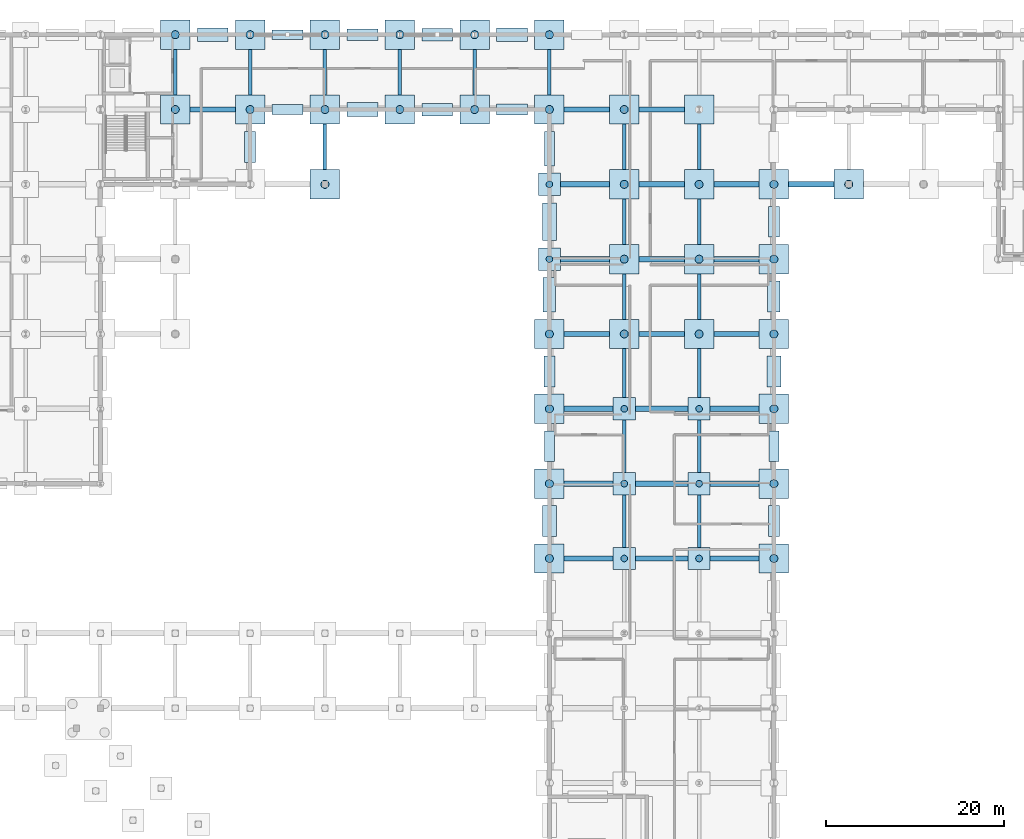
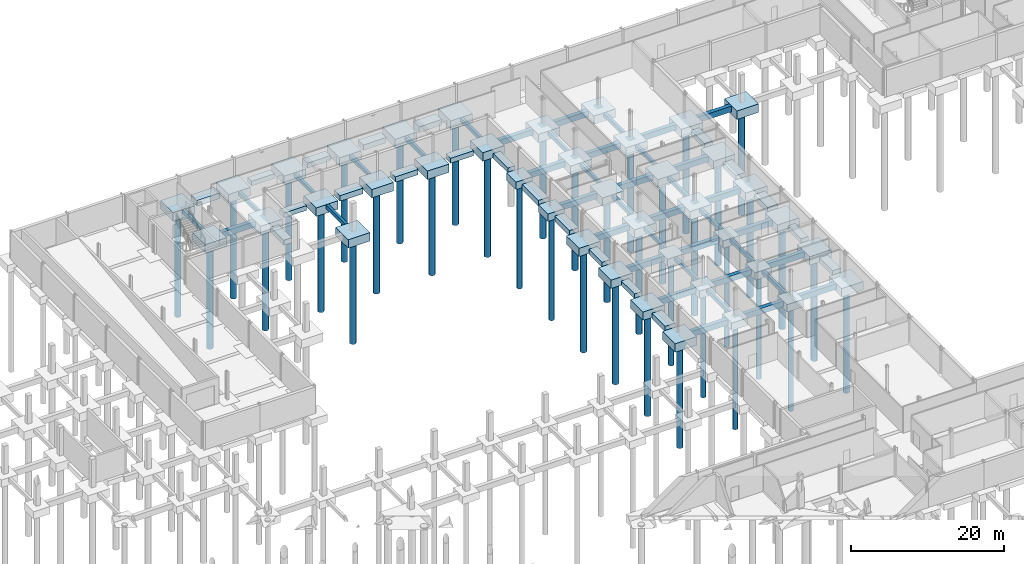
# One storey, part 5 of 43: 102 footings, 39 piles.
"""IFC4 building model written with IfcOpenShell, lengths in metres."""

from ifc_helpers import new_model, si_unit, direction, frame, origin, origin_2d, place, context, subcontext, project, spatial, rectangle, circle, extrude, material, layer, layer_set, material_profile, profile_set, type_object, element, save


model = new_model("IFC4")

# Units and contexts
model_context = context("Model", 3, precision=1e-05, world=origin(), true_north=direction((0.0, 1.0)))
body_context = subcontext(model_context, "Body", "Model", "MODEL_VIEW")
ifc_project = project(units=[si_unit("LENGTHUNIT", "METRE"), si_unit("AREAUNIT", "SQUARE_METRE"), si_unit("VOLUMEUNIT", "CUBIC_METRE"), si_unit("PLANEANGLEUNIT", "RADIAN"), si_unit("MASSUNIT", "GRAM", prefix="KILO")], contexts=[model_context])

# Site, building, storey
site_placement = place(None, origin())
site = spatial("IfcSite", under=ifc_project, at=site_placement, CompositionType="ELEMENT")
building_placement = place(site_placement, origin())
building = spatial("IfcBuilding", under=site, at=building_placement, Name="Mersafa Astral City Hall", CompositionType="ELEMENT")
storey_placement = place(building_placement, frame((0.0, 0.0, -4.5)))
storey = spatial("IfcBuildingStorey", under=building, at=storey_placement, Name="B1", CompositionType="ELEMENT", Elevation=-4.5)

# Footings
ifc_material = material(Name="Concrete C40/50", Category="concrete")
ifc_layer_1 = layer(ifc_material, 1.199951171875, Name="Concrete C40/50")
ifc_layer_set_1 = layer_set([ifc_layer_1], Name="Concrete C40/50 — STR-FTG-PC-2-250X250X1200")
footing_type_1 = type_object("IfcFootingType", Name="STR-FTG-PC-2-250X250X1200", PredefinedType="PILE_CAP", material=ifc_layer_set_1)
for number, where, z_axis, x_axis, name in (
    (1, (100.800048828125, 67.199951171875, -1.2001953125), (0.0, 0.0, 1.0), (1.0, 0.0, 0.0), "Reinforced concrete pile cap 121"),
    (2, (109.199951171875, 67.199951171875, -1.2001953125), (0.0, 0.0, 1.0), (1.0, 0.0, 0.0), "Reinforced concrete pile cap 122"),
    (3, (100.800048828125, 75.60009765625, -1.2001953125), (0.0, 0.0, 1.0), (1.0, 0.0, 0.0), "Reinforced concrete pile cap 135"),
    (4, (109.199951171875, 75.60009765625, -1.2001953125), (0.0, 0.0, 1.0), (1.0, 0.0, 0.0), "Reinforced concrete pile cap 136"),
    (5, (100.800048828125, 84.0, -1.2001953125), (0.0, 0.0, 1.0), (1.0, 0.0, 0.0), "Reinforced concrete pile cap 149"),
    (6, (109.199951171875, 84.0, -1.2001953125), (0.0, 0.0, 1.0), (1.0, 0.0, 0.0), "Reinforced concrete pile cap 150"),
    (7, (92.39990234375, 100.800048828125, -1.2001953125), (0.0, 0.0, 1.0), (1.0, 0.0, 0.0), "Reinforced concrete pile cap 182"),
    (8, (92.39990234375, 109.199951171875, -1.2001953125), (0.0, 0.0, 1.0), (1.0, 0.0, 0.0), "Reinforced concrete pile cap 200"),
):
    element("IfcFooting", number, at=place(storey_placement, frame(where, z_axis=z_axis, x_axis=x_axis)), inside=storey, type_object=footing_type_1, Name=name, PredefinedType="PILE_CAP", context=body_context, shape_type="SweptSolid", body=[
        extrude(rectangle(XDim=2.5, YDim=2.5, at=origin_2d()), origin(), (0.0, 0.0, 1.0), 1.199951171875),
    ])
ifc_layer_2 = layer(ifc_material, 1.35009765625, Name="Concrete C40/50")
ifc_layer_set_2 = layer_set([ifc_layer_2], Name="Concrete C40/50 — STR-FTG-PC-7-330X330X1350")
footing_type_2 = type_object("IfcFootingType", Name="STR-FTG-PC-7-330X330X1350", PredefinedType="PILE_CAP", material=ifc_layer_set_2)
for number, where, z_axis, x_axis, name in (
    (9, (92.39990234375, 67.199951171875, -1.35009765625), (0.0, 0.0, 1.0), (1.0, 0.0, 0.0), "Reinforced concrete pile cap 113"),
    (10, (117.60009765625, 67.199951171875, -1.35009765625), (0.0, 0.0, 1.0), (1.0, 0.0, 0.0), "Reinforced concrete pile cap 114"),
    (11, (92.39990234375, 75.60009765625, -1.35009765625), (0.0, 0.0, 1.0), (1.0, 0.0, 0.0), "Reinforced concrete pile cap 127"),
    (12, (117.60009765625, 75.60009765625, -1.35009765625), (0.0, 0.0, 1.0), (1.0, 0.0, 0.0), "Reinforced concrete pile cap 128"),
    (13, (92.39990234375, 84.0, -1.35009765625), (0.0, 0.0, 1.0), (1.0, 0.0, 0.0), "Reinforced concrete pile cap 141"),
    (14, (117.60009765625, 84.0, -1.35009765625), (0.0, 0.0, 1.0), (1.0, 0.0, 0.0), "Reinforced concrete pile cap 142"),
    (15, (92.39990234375, 92.39990234375, -1.35009765625), (0.0, 0.0, 1.0), (1.0, 0.0, 0.0), "Reinforced concrete pile cap 158"),
    (16, (100.800048828125, 92.39990234375, -1.35009765625), (0.0, 0.0, 1.0), (1.0, 0.0, 0.0), "Reinforced concrete pile cap 159"),
    (17, (109.199951171875, 92.39990234375, -1.35009765625), (0.0, 0.0, 1.0), (1.0, 0.0, 0.0), "Reinforced concrete pile cap 160"),
    (18, (117.60009765625, 92.39990234375, -1.35009765625), (0.0, 0.0, 1.0), (1.0, 0.0, 0.0), "Reinforced concrete pile cap 161"),
    (19, (100.800048828125, 100.800048828125, -1.35009765625), (0.0, 0.0, 1.0), (1.0, 0.0, 0.0), "Reinforced concrete pile cap 173"),
    (20, (109.199951171875, 100.800048828125, -1.35009765625), (0.0, 0.0, 1.0), (1.0, 0.0, 0.0), "Reinforced concrete pile cap 174"),
    (21, (117.60009765625, 100.800048828125, -1.35009765625), (0.0, 0.0, 1.0), (1.0, 0.0, 0.0), "Reinforced concrete pile cap 175"),
    (22, (67.199951171875, 109.199951171875, -1.35009765625), (0.0, 0.0, 1.0), (1.0, 0.0, 0.0), "Reinforced concrete pile cap 186"),
    (23, (100.800048828125, 109.199951171875, -1.35009765625), (0.0, 0.0, 1.0), (1.0, 0.0, 0.0), "Reinforced concrete pile cap 187"),
    (24, (109.199951171875, 109.199951171875, -1.35009765625), (0.0, 0.0, 1.0), (1.0, 0.0, 0.0), "Reinforced concrete pile cap 188"),
    (25, (117.60009765625, 109.199951171875, -1.35009765625), (0.0, 0.0, 1.0), (1.0, 0.0, 0.0), "Reinforced concrete pile cap 189"),
    (26, (126.0, 109.199951171875, -1.35009765625), (0.0, 0.0, 1.0), (1.0, 0.0, 0.0), "Reinforced concrete pile cap 190"),
    (27, (50.39990234375, 117.60009765625, -1.35009765625), (0.0, 0.0, 1.0), (1.0, 0.0, 0.0), "Reinforced concrete pile cap 202"),
    (28, (58.800048828125, 117.60009765625, -1.35009765625), (0.0, 0.0, 1.0), (1.0, 0.0, 0.0), "Reinforced concrete pile cap 203"),
    (29, (67.199951171875, 117.60009765625, -1.35009765625), (0.0, 0.0, 1.0), (1.0, 0.0, 0.0), "Reinforced concrete pile cap 204"),
    (30, (75.60009765625, 117.60009765625, -1.35009765625), (0.0, 0.0, 1.0), (1.0, 0.0, 0.0), "Reinforced concrete pile cap 205"),
    (31, (84.0, 117.60009765625, -1.35009765625), (0.0, 0.0, 1.0), (1.0, 0.0, 0.0), "Reinforced concrete pile cap 206"),
    (32, (92.39990234375, 117.60009765625, -1.35009765625), (0.0, 0.0, 1.0), (1.0, 0.0, 0.0), "Reinforced concrete pile cap 207"),
    (33, (100.800048828125, 117.60009765625, -1.35009765625), (0.0, 0.0, 1.0), (1.0, 0.0, 0.0), "Reinforced concrete pile cap 208"),
    (34, (109.199951171875, 117.60009765625, -1.35009765625), (0.0, 0.0, 1.0), (1.0, 0.0, 0.0), "Reinforced concrete pile cap 209"),
    (35, (50.39990234375, 126.0, -1.35009765625), (0.0, 0.0, 1.0), (1.0, 0.0, 0.0), "Reinforced concrete pile cap 222"),
    (36, (58.800048828125, 126.0, -1.35009765625), (0.0, 0.0, 1.0), (1.0, 0.0, 0.0), "Reinforced concrete pile cap 223"),
    (37, (67.199951171875, 126.0, -1.35009765625), (0.0, 0.0, 1.0), (1.0, 0.0, 0.0), "Reinforced concrete pile cap 224"),
    (38, (75.60009765625, 126.0, -1.35009765625), (0.0, 0.0, 1.0), (1.0, 0.0, 0.0), "Reinforced concrete pile cap 225"),
    (39, (84.0, 126.0, -1.35009765625), (0.0, 0.0, 1.0), (1.0, 0.0, 0.0), "Reinforced concrete pile cap 226"),
    (40, (92.39990234375, 126.0, -1.35009765625), (0.0, 0.0, 1.0), (1.0, 0.0, 0.0), "Reinforced concrete pile cap 227"),
):
    element("IfcFooting", number, at=place(storey_placement, frame(where, z_axis=z_axis, x_axis=x_axis)), inside=storey, type_object=footing_type_2, Name=name, PredefinedType="PILE_CAP", context=body_context, shape_type="SweptSolid", body=[
        extrude(rectangle(XDim=3.300048828125, YDim=3.300048828125, at=origin_2d()), origin(), (0.0, 0.0, 1.0), 1.35009765625),
    ])
ifc_layer_3 = layer(ifc_material, 0.75, Name="Concrete C40/50")
ifc_layer_set_3 = layer_set([ifc_layer_3], Name="Concrete C40/50 — STR-FTG-STRIP-1")
footing_type_3 = type_object("IfcFootingType", Name="STR-FTG-STRIP-1", PredefinedType="STRIP_FOOTING", material=ifc_layer_set_3)
footing_1_placement = place(storey_placement, frame((92.39990234375, 79.800048828125, -0.75), z_axis=(0.0, 0.0, 1.0), x_axis=(0.0, 1.0, 0.0)))
element("IfcFooting", 41, at=footing_1_placement, inside=storey, type_object=footing_type_3, Name="Retaining wall strip footing 8", PredefinedType="STRIP_FOOTING", context=body_context, shape_type="SweptSolid", body=[
    extrude(rectangle(XDim=3.4599609375, YDim=1.10009765625, at=origin_2d()), origin(), (0.0, 0.0, 1.0), 0.75),
])
footing_2_placement = place(storey_placement, frame((92.39990234375, 113.199951171875, -0.75), z_axis=(0.0, 0.0, 1.0), x_axis=(0.0, 1.0, 0.0)))
element("IfcFooting", 42, at=footing_2_placement, inside=storey, type_object=footing_type_3, Name="Retaining wall strip footing 12", PredefinedType="STRIP_FOOTING", context=body_context, shape_type="SweptSolid", body=[
    extrude(rectangle(XDim=3.860107421875, YDim=1.10009765625, at=origin_2d()), origin(), (0.0, 0.0, 1.0), 0.75),
])
for number, where, z_axis, x_axis, name in (
    (43, (63.0, 117.60009765625, -0.75), (0.0, 0.0, 1.0), (-1.0, 0.0, 0.0), "Retaining wall strip footing 16"),
    (44, (63.0, 126.0, -0.75), (0.0, 0.0, 1.0), (1.0, 0.0, 0.0), "Retaining wall strip footing 36"),
    (45, (117.60009765625, 79.800048828125, -0.75), (0.0, 0.0, 1.0), (0.0, -1.0, 0.0), "Retaining wall strip footing 80"),
):
    element("IfcFooting", number, at=place(storey_placement, frame(where, z_axis=z_axis, x_axis=x_axis)), inside=storey, type_object=footing_type_3, Name=name, PredefinedType="STRIP_FOOTING", context=body_context, shape_type="SweptSolid", body=[
        extrude(rectangle(XDim=3.4599609375, YDim=1.10009765625, at=origin_2d()), origin(), (0.0, 0.0, 1.0), 0.75),
    ])
ifc_layer_4 = layer(ifc_material, 0.800048828125, Name="Concrete C40/50")
ifc_layer_set_4 = layer_set([ifc_layer_4], Name="Concrete C40/50 — STR-FTG-STRIP-2")
footing_type_4 = type_object("IfcFootingType", Name="STR-FTG-STRIP-2", PredefinedType="STRIP_FOOTING", material=ifc_layer_set_4)
for number, where, z_axis, x_axis, name in (
    (46, (92.39990234375, 88.199951171875, -0.7998046875), (0.0, 0.0, 1.0), (0.0, 1.0, 0.0), "Retaining wall strip footing 9"),
    (47, (88.199951171875, 117.60009765625, -0.7998046875), (0.0, 0.0, 1.0), (-1.0, 0.0, 0.0), "Retaining wall strip footing 13"),
    (48, (58.800048828125, 113.39990234375, -0.7998046875), (0.0, 0.0, 1.0), (0.0, -1.0, 0.0), "Retaining wall strip footing 17"),
    (49, (71.39990234375, 126.0, -0.7998046875), (0.0, 0.0, 1.0), (1.0, 0.0, 0.0), "Retaining wall strip footing 37"),
    (50, (117.60009765625, 105.0, -0.7998046875), (0.0, 0.0, 1.0), (0.0, -1.0, 0.0), "Retaining wall strip footing 77"),
    (51, (117.60009765625, 71.39990234375, -0.7998046875), (0.0, 0.0, 1.0), (0.0, -1.0, 0.0), "Retaining wall strip footing 81"),
):
    element("IfcFooting", number, at=place(storey_placement, frame(where, z_axis=z_axis, x_axis=x_axis)), inside=storey, type_object=footing_type_4, Name=name, PredefinedType="STRIP_FOOTING", context=body_context, shape_type="SweptSolid", body=[
        extrude(rectangle(XDim=3.4599609375, YDim=1.25, at=origin_2d()), origin(), (0.0, 0.0, 1.0), 0.800048828125),
    ])
ifc_layer_5 = layer(ifc_material, 0.85009765625, Name="Concrete C40/50")
ifc_layer_set_5 = layer_set([ifc_layer_5], Name="Concrete C40/50 — STR-FTG-STRIP-3")
footing_type_5 = type_object("IfcFootingType", Name="STR-FTG-STRIP-3", PredefinedType="STRIP_FOOTING", material=ifc_layer_set_5)
footing_3_placement = place(storey_placement, frame((92.39990234375, 96.800048828125, -0.85009765625), z_axis=(0.0, 0.0, 1.0), x_axis=(0.0, 1.0, 0.0)))
element("IfcFooting", 52, at=footing_3_placement, inside=storey, type_object=footing_type_5, Name="Retaining wall strip footing 10", PredefinedType="STRIP_FOOTING", context=body_context, shape_type="SweptSolid", body=[
    extrude(rectangle(XDim=3.860107421875, YDim=1.39990234375, at=origin_2d()), origin(), (0.0, 0.0, 1.0), 0.85009765625),
])
for number, where, z_axis, x_axis, name in (
    (53, (79.800048828125, 117.60009765625, -0.85009765625), (0.0, 0.0, 1.0), (-1.0, 0.0, 0.0), "Retaining wall strip footing 14"),
    (54, (79.800048828125, 126.0, -0.85009765625), (0.0, 0.0, 1.0), (1.0, 0.0, 0.0), "Retaining wall strip footing 38"),
    (55, (117.60009765625, 96.60009765625, -0.85009765625), (0.0, 0.0, 1.0), (0.0, -1.0, 0.0), "Retaining wall strip footing 78"),
):
    element("IfcFooting", number, at=place(storey_placement, frame(where, z_axis=z_axis, x_axis=x_axis)), inside=storey, type_object=footing_type_5, Name=name, PredefinedType="STRIP_FOOTING", context=body_context, shape_type="SweptSolid", body=[
        extrude(rectangle(XDim=3.4599609375, YDim=1.39990234375, at=origin_2d()), origin(), (0.0, 0.0, 1.0), 0.85009765625),
    ])
ifc_layer_6 = layer(ifc_material, 0.89990234375, Name="Concrete C40/50")
ifc_layer_set_6 = layer_set([ifc_layer_6], Name="Concrete C40/50 — STR-FTG-STRIP-4")
footing_type_6 = type_object("IfcFootingType", Name="STR-FTG-STRIP-4", PredefinedType="STRIP_FOOTING", material=ifc_layer_set_6)
footing_4_placement = place(storey_placement, frame((92.39990234375, 71.39990234375, -0.89990234375), z_axis=(0.0, 0.0, 1.0), x_axis=(0.0, 1.0, 0.0)))
element("IfcFooting", 56, at=footing_4_placement, inside=storey, type_object=footing_type_6, Name="Retaining wall strip footing 7", PredefinedType="STRIP_FOOTING", context=body_context, shape_type="SweptSolid", body=[
    extrude(rectangle(XDim=3.4599609375, YDim=1.550048828125, at=origin_2d()), origin(), (0.0, 0.0, 1.0), 0.89990234375),
])
footing_5_placement = place(storey_placement, frame((92.39990234375, 105.0, -0.89990234375), z_axis=(0.0, 0.0, 1.0), x_axis=(0.0, 1.0, 0.0)))
element("IfcFooting", 57, at=footing_5_placement, inside=storey, type_object=footing_type_6, Name="Retaining wall strip footing 11", PredefinedType="STRIP_FOOTING", context=body_context, shape_type="SweptSolid", body=[
    extrude(rectangle(XDim=4.260009765625, YDim=1.550048828125, at=origin_2d()), origin(), (0.0, 0.0, 1.0), 0.89990234375),
])
for number, where, z_axis, x_axis, name in (
    (58, (71.39990234375, 117.60009765625, -0.89990234375), (0.0, 0.0, 1.0), (-1.0, 0.0, 0.0), "Retaining wall strip footing 15"),
    (59, (54.60009765625, 126.0, -0.89990234375), (0.0, 0.0, 1.0), (1.0, 0.0, 0.0), "Retaining wall strip footing 35"),
    (60, (88.199951171875, 126.0, -0.89990234375), (0.0, 0.0, 1.0), (1.0, 0.0, 0.0), "Retaining wall strip footing 39"),
    (61, (117.60009765625, 88.199951171875, -0.89990234375), (0.0, 0.0, 1.0), (0.0, -1.0, 0.0), "Retaining wall strip footing 79"),
):
    element("IfcFooting", number, at=place(storey_placement, frame(where, z_axis=z_axis, x_axis=x_axis)), inside=storey, type_object=footing_type_6, Name=name, PredefinedType="STRIP_FOOTING", context=body_context, shape_type="SweptSolid", body=[
        extrude(rectangle(XDim=3.4599609375, YDim=1.550048828125, at=origin_2d()), origin(), (0.0, 0.0, 1.0), 0.89990234375),
    ])
ifc_material_profile_1 = material_profile(ifc_material, rectangle(XDim=0.39990234375, YDim=0.60009765625, at=origin_2d()), Name="RC 400x600")
ifc_profile_set_1 = profile_set([ifc_material_profile_1], Name="Concrete C40/50")
footing_type_7 = type_object("IfcFootingType", Name="STR-FTG-TIE-400X600", PredefinedType="FOOTING_BEAM", material=ifc_profile_set_1)
for number, where, z_axis, x_axis, name in (
    (62, (50.39990234375, 119.248046875, -0.300048828125), (0.0, 1.0, 0.0), (-1.0, 0.0, 0.0), "Reinforced concrete ground tie beam 70"),
    (63, (58.800048828125, 119.248046875, -0.300048828125), (0.0, 1.0, 0.0), (-1.0, 0.0, 0.0), "Reinforced concrete ground tie beam 75"),
    (64, (67.199951171875, 110.847900390625, -0.300048828125), (0.0, 1.0, 0.0), (-1.0, 0.0, 0.0), "Reinforced concrete ground tie beam 83"),
    (65, (67.199951171875, 119.248046875, -0.300048828125), (0.0, 1.0, 0.0), (-1.0, 0.0, 0.0), "Reinforced concrete ground tie beam 84"),
    (66, (75.60009765625, 119.248046875, -0.300048828125), (0.0, 1.0, 0.0), (-1.0, 0.0, 0.0), "Reinforced concrete ground tie beam 95"),
    (67, (84.0, 119.248046875, -0.300048828125), (0.0, 1.0, 0.0), (-1.0, 0.0, 0.0), "Reinforced concrete ground tie beam 105"),
    (68, (92.39990234375, 119.248046875, -0.300048828125), (0.0, 1.0, 0.0), (-1.0, 0.0, 0.0), "Reinforced concrete ground tie beam 122"),
):
    element("IfcFooting", number, at=place(storey_placement, frame(where, z_axis=z_axis, x_axis=x_axis)), inside=storey, type_object=footing_type_7, Name=name, PredefinedType="FOOTING_BEAM", context=body_context, shape_type="SweptSolid", body=[
        extrude(rectangle(XDim=0.39990234375, YDim=0.60009765625, at=origin_2d()), origin(), (0.0, 0.0, 1.0), 5.10400390625),
    ])
for number, where, z_axis, x_axis, name in (
    (69, (100.800048828125, 68.447998046875, -0.300048828125), (0.0, 1.0, 0.0), (-1.0, 0.0, 0.0), "Reinforced concrete ground tie beam 139"),
    (70, (100.800048828125, 76.847900390625, -0.300048828125), (0.0, 1.0, 0.0), (-1.0, 0.0, 0.0), "Reinforced concrete ground tie beam 141"),
):
    element("IfcFooting", number, at=place(storey_placement, frame(where, z_axis=z_axis, x_axis=x_axis)), inside=storey, type_object=footing_type_7, Name=name, PredefinedType="FOOTING_BEAM", context=body_context, shape_type="SweptSolid", body=[
        extrude(rectangle(XDim=0.39990234375, YDim=0.60009765625, at=origin_2d()), origin(), (0.0, 0.0, 1.0), 5.904052734375),
    ])
footing_6_placement = place(storey_placement, frame((100.800048828125, 85.248046875, -0.300048828125), z_axis=(0.0, 1.0, 0.0), x_axis=(-1.0, 0.0, 0.0)))
element("IfcFooting", 71, at=footing_6_placement, inside=storey, type_object=footing_type_7, Name="Reinforced concrete ground tie beam 143", PredefinedType="FOOTING_BEAM", context=body_context, shape_type="SweptSolid", body=[
    extrude(rectangle(XDim=0.39990234375, YDim=0.60009765625, at=origin_2d()), origin(), (0.0, 0.0, 1.0), 5.50390625),
])
for number, where, z_axis, x_axis, name in (
    (72, (100.800048828125, 94.048095703125, -0.300048828125), (0.0, 1.0, 0.0), (-1.0, 0.0, 0.0), "Reinforced concrete ground tie beam 145"),
    (73, (100.800048828125, 102.447998046875, -0.300048828125), (0.0, 1.0, 0.0), (-1.0, 0.0, 0.0), "Reinforced concrete ground tie beam 147"),
    (74, (100.800048828125, 110.847900390625, -0.300048828125), (0.0, 1.0, 0.0), (-1.0, 0.0, 0.0), "Reinforced concrete ground tie beam 149"),
):
    element("IfcFooting", number, at=place(storey_placement, frame(where, z_axis=z_axis, x_axis=x_axis)), inside=storey, type_object=footing_type_7, Name=name, PredefinedType="FOOTING_BEAM", context=body_context, shape_type="SweptSolid", body=[
        extrude(rectangle(XDim=0.39990234375, YDim=0.60009765625, at=origin_2d()), origin(), (0.0, 0.0, 1.0), 5.10400390625),
    ])
for number, where, z_axis, x_axis, name in (
    (75, (109.199951171875, 68.447998046875, -0.300048828125), (0.0, 1.0, 0.0), (-1.0, 0.0, 0.0), "Reinforced concrete ground tie beam 168"),
    (76, (109.199951171875, 76.847900390625, -0.300048828125), (0.0, 1.0, 0.0), (-1.0, 0.0, 0.0), "Reinforced concrete ground tie beam 170"),
):
    element("IfcFooting", number, at=place(storey_placement, frame(where, z_axis=z_axis, x_axis=x_axis)), inside=storey, type_object=footing_type_7, Name=name, PredefinedType="FOOTING_BEAM", context=body_context, shape_type="SweptSolid", body=[
        extrude(rectangle(XDim=0.39990234375, YDim=0.60009765625, at=origin_2d()), origin(), (0.0, 0.0, 1.0), 5.904052734375),
    ])
footing_7_placement = place(storey_placement, frame((109.199951171875, 85.248046875, -0.300048828125), z_axis=(0.0, 1.0, 0.0), x_axis=(-1.0, 0.0, 0.0)))
element("IfcFooting", 77, at=footing_7_placement, inside=storey, type_object=footing_type_7, Name="Reinforced concrete ground tie beam 172", PredefinedType="FOOTING_BEAM", context=body_context, shape_type="SweptSolid", body=[
    extrude(rectangle(XDim=0.39990234375, YDim=0.60009765625, at=origin_2d()), origin(), (0.0, 0.0, 1.0), 5.50390625),
])
for number, where, z_axis, x_axis, name in (
    (78, (109.199951171875, 94.048095703125, -0.300048828125), (0.0, 1.0, 0.0), (-1.0, 0.0, 0.0), "Reinforced concrete ground tie beam 174"),
    (79, (109.199951171875, 102.447998046875, -0.300048828125), (0.0, 1.0, 0.0), (-1.0, 0.0, 0.0), "Reinforced concrete ground tie beam 176"),
    (80, (109.199951171875, 110.847900390625, -0.300048828125), (0.0, 1.0, 0.0), (-1.0, 0.0, 0.0), "Reinforced concrete ground tie beam 178"),
):
    element("IfcFooting", number, at=place(storey_placement, frame(where, z_axis=z_axis, x_axis=x_axis)), inside=storey, type_object=footing_type_7, Name=name, PredefinedType="FOOTING_BEAM", context=body_context, shape_type="SweptSolid", body=[
        extrude(rectangle(XDim=0.39990234375, YDim=0.60009765625, at=origin_2d()), origin(), (0.0, 0.0, 1.0), 5.10400390625),
    ])
ifc_material_profile_2 = material_profile(ifc_material, rectangle(XDim=0.60009765625, YDim=0.89990234375, at=origin_2d()), Name="RC 600x900")
ifc_profile_set_2 = profile_set([ifc_material_profile_2], Name="Concrete C40/50")
footing_type_8 = type_object("IfcFootingType", Name="STR-FTG-TIE-600X900", PredefinedType="FOOTING_BEAM", material=ifc_profile_set_2)
footing_8_placement = place(storey_placement, frame((52.048095703125, 117.60009765625, -0.449951171875), z_axis=(1.0, 0.0, 0.0), x_axis=(0.0, 1.0, 0.0)))
element("IfcFooting", 81, at=footing_8_placement, inside=storey, type_object=footing_type_8, Name="Reinforced concrete ground tie beam 69", PredefinedType="FOOTING_BEAM", context=body_context, shape_type="SweptSolid", body=[
    extrude(rectangle(XDim=0.60009765625, YDim=0.89990234375, at=origin_2d()), origin(), (0.0, 0.0, 1.0), 5.10400390625),
])
for number, where, z_axis, x_axis, name in (
    (82, (94.048095703125, 67.199951171875, -0.449951171875), (1.0, 0.0, 0.0), (0.0, 1.0, 0.0), "Reinforced concrete ground tie beam 115"),
    (83, (94.048095703125, 75.60009765625, -0.449951171875), (1.0, 0.0, 0.0), (0.0, 1.0, 0.0), "Reinforced concrete ground tie beam 116"),
    (84, (94.048095703125, 84.0, -0.449951171875), (1.0, 0.0, 0.0), (0.0, 1.0, 0.0), "Reinforced concrete ground tie beam 117"),
):
    element("IfcFooting", number, at=place(storey_placement, frame(where, z_axis=z_axis, x_axis=x_axis)), inside=storey, type_object=footing_type_8, Name=name, PredefinedType="FOOTING_BEAM", context=body_context, shape_type="SweptSolid", body=[
        extrude(rectangle(XDim=0.60009765625, YDim=0.89990234375, at=origin_2d()), origin(), (0.0, 0.0, 1.0), 5.50390625),
    ])
footing_9_placement = place(storey_placement, frame((94.048095703125, 92.39990234375, -0.449951171875), z_axis=(1.0, 0.0, 0.0), x_axis=(0.0, 1.0, 0.0)))
element("IfcFooting", 85, at=footing_9_placement, inside=storey, type_object=footing_type_8, Name="Reinforced concrete ground tie beam 118", PredefinedType="FOOTING_BEAM", context=body_context, shape_type="SweptSolid", body=[
    extrude(rectangle(XDim=0.60009765625, YDim=0.89990234375, at=origin_2d()), origin(), (0.0, 0.0, 1.0), 5.10400390625),
])
for number, where, z_axis, x_axis, name in (
    (86, (93.64794921875, 100.800048828125, -0.449951171875), (1.0, 0.0, 0.0), (0.0, 1.0, 0.0), "Reinforced concrete ground tie beam 119"),
    (87, (93.64794921875, 109.199951171875, -0.449951171875), (1.0, 0.0, 0.0), (0.0, 1.0, 0.0), "Reinforced concrete ground tie beam 120"),
):
    element("IfcFooting", number, at=place(storey_placement, frame(where, z_axis=z_axis, x_axis=x_axis)), inside=storey, type_object=footing_type_8, Name=name, PredefinedType="FOOTING_BEAM", context=body_context, shape_type="SweptSolid", body=[
        extrude(rectangle(XDim=0.60009765625, YDim=0.89990234375, at=origin_2d()), origin(), (0.0, 0.0, 1.0), 5.504150390625),
    ])
footing_10_placement = place(storey_placement, frame((94.048095703125, 117.60009765625, -0.449951171875), z_axis=(1.0, 0.0, 0.0), x_axis=(0.0, 1.0, 0.0)))
element("IfcFooting", 88, at=footing_10_placement, inside=storey, type_object=footing_type_8, Name="Reinforced concrete ground tie beam 121", PredefinedType="FOOTING_BEAM", context=body_context, shape_type="SweptSolid", body=[
    extrude(rectangle(XDim=0.60009765625, YDim=0.89990234375, at=origin_2d()), origin(), (0.0, 0.0, 1.0), 5.10400390625),
])
for number, where, z_axis, x_axis, name in (
    (89, (102.048095703125, 67.199951171875, -0.449951171875), (1.0, 0.0, 0.0), (0.0, 1.0, 0.0), "Reinforced concrete ground tie beam 138"),
    (90, (102.048095703125, 75.60009765625, -0.449951171875), (1.0, 0.0, 0.0), (0.0, 1.0, 0.0), "Reinforced concrete ground tie beam 140"),
    (91, (102.048095703125, 84.0, -0.449951171875), (1.0, 0.0, 0.0), (0.0, 1.0, 0.0), "Reinforced concrete ground tie beam 142"),
):
    element("IfcFooting", number, at=place(storey_placement, frame(where, z_axis=z_axis, x_axis=x_axis)), inside=storey, type_object=footing_type_8, Name=name, PredefinedType="FOOTING_BEAM", context=body_context, shape_type="SweptSolid", body=[
        extrude(rectangle(XDim=0.60009765625, YDim=0.89990234375, at=origin_2d()), origin(), (0.0, 0.0, 1.0), 5.90380859375),
    ])
for number, where, z_axis, x_axis, name in (
    (92, (102.447998046875, 92.39990234375, -0.449951171875), (1.0, 0.0, 0.0), (0.0, 1.0, 0.0), "Reinforced concrete ground tie beam 144"),
    (93, (102.447998046875, 100.800048828125, -0.449951171875), (1.0, 0.0, 0.0), (0.0, 1.0, 0.0), "Reinforced concrete ground tie beam 146"),
    (94, (102.447998046875, 109.199951171875, -0.449951171875), (1.0, 0.0, 0.0), (0.0, 1.0, 0.0), "Reinforced concrete ground tie beam 148"),
    (95, (102.447998046875, 117.60009765625, -0.449951171875), (1.0, 0.0, 0.0), (0.0, 1.0, 0.0), "Reinforced concrete ground tie beam 150"),
):
    element("IfcFooting", number, at=place(storey_placement, frame(where, z_axis=z_axis, x_axis=x_axis)), inside=storey, type_object=footing_type_8, Name=name, PredefinedType="FOOTING_BEAM", context=body_context, shape_type="SweptSolid", body=[
        extrude(rectangle(XDim=0.60009765625, YDim=0.89990234375, at=origin_2d()), origin(), (0.0, 0.0, 1.0), 5.10400390625),
    ])
for number, where, z_axis, x_axis, name in (
    (96, (110.447998046875, 67.199951171875, -0.449951171875), (1.0, 0.0, 0.0), (0.0, 1.0, 0.0), "Reinforced concrete ground tie beam 167"),
    (97, (110.447998046875, 75.60009765625, -0.449951171875), (1.0, 0.0, 0.0), (0.0, 1.0, 0.0), "Reinforced concrete ground tie beam 169"),
    (98, (110.447998046875, 84.0, -0.449951171875), (1.0, 0.0, 0.0), (0.0, 1.0, 0.0), "Reinforced concrete ground tie beam 171"),
):
    element("IfcFooting", number, at=place(storey_placement, frame(where, z_axis=z_axis, x_axis=x_axis)), inside=storey, type_object=footing_type_8, Name=name, PredefinedType="FOOTING_BEAM", context=body_context, shape_type="SweptSolid", body=[
        extrude(rectangle(XDim=0.60009765625, YDim=0.89990234375, at=origin_2d()), origin(), (0.0, 0.0, 1.0), 5.50390625),
    ])
for number, where, z_axis, x_axis, name in (
    (99, (110.847900390625, 92.39990234375, -0.449951171875), (1.0, 0.0, 0.0), (0.0, 1.0, 0.0), "Reinforced concrete ground tie beam 173"),
    (100, (110.847900390625, 100.800048828125, -0.449951171875), (1.0, 0.0, 0.0), (0.0, 1.0, 0.0), "Reinforced concrete ground tie beam 175"),
    (101, (110.847900390625, 109.199951171875, -0.449951171875), (1.0, 0.0, 0.0), (0.0, 1.0, 0.0), "Reinforced concrete ground tie beam 177"),
    (102, (119.248046875, 109.199951171875, -0.449951171875), (1.0, 0.0, 0.0), (0.0, 1.0, 0.0), "Reinforced concrete ground tie beam 187"),
):
    element("IfcFooting", number, at=place(storey_placement, frame(where, z_axis=z_axis, x_axis=x_axis)), inside=storey, type_object=footing_type_8, Name=name, PredefinedType="FOOTING_BEAM", context=body_context, shape_type="SweptSolid", body=[
        extrude(rectangle(XDim=0.60009765625, YDim=0.89990234375, at=origin_2d()), origin(), (0.0, 0.0, 1.0), 5.10400390625),
    ])

# Piles
ifc_material_profile_3 = material_profile(ifc_material, circle(Radius=0.375, at=origin_2d()), Name="PILE D750")
ifc_profile_set_3 = profile_set([ifc_material_profile_3], Name="Concrete C40/50")
pile_type_1 = type_object("IfcPileType", Name="STR-PILE-D750", PredefinedType="BORED", material=ifc_profile_set_3)
for number, where, z_axis, x_axis, name in (
    (103, (100.800048828125, 67.199951171875, -1.050048828125), (0.0, 0.0, -1.0), (1.0, 0.0, 0.0), "Bored concrete pile 144"),
    (104, (109.199951171875, 67.199951171875, -1.050048828125), (0.0, 0.0, -1.0), (1.0, 0.0, 0.0), "Bored concrete pile 145"),
    (105, (100.800048828125, 75.60009765625, -1.050048828125), (0.0, 0.0, -1.0), (1.0, 0.0, 0.0), "Bored concrete pile 158"),
    (106, (109.199951171875, 75.60009765625, -1.050048828125), (0.0, 0.0, -1.0), (1.0, 0.0, 0.0), "Bored concrete pile 159"),
    (107, (100.800048828125, 84.0, -1.050048828125), (0.0, 0.0, -1.0), (1.0, 0.0, 0.0), "Bored concrete pile 172"),
    (108, (109.199951171875, 84.0, -1.050048828125), (0.0, 0.0, -1.0), (1.0, 0.0, 0.0), "Bored concrete pile 173"),
    (109, (92.39990234375, 100.800048828125, -1.050048828125), (0.0, 0.0, -1.0), (1.0, 0.0, 0.0), "Bored concrete pile 205"),
    (110, (92.39990234375, 109.199951171875, -1.050048828125), (0.0, 0.0, -1.0), (1.0, 0.0, 0.0), "Bored concrete pile 223"),
):
    element("IfcPile", number, at=place(storey_placement, frame(where, z_axis=z_axis, x_axis=x_axis)), inside=storey, type_object=pile_type_1, Name=name, PredefinedType="BORED", context=body_context, shape_type="SweptSolid", body=[
        extrude(circle(Radius=0.375, at=origin_2d()), origin(), (0.0, 0.0, 1.0), 16.949951171875),
    ])
ifc_material_profile_4 = material_profile(ifc_material, circle(Radius=0.449951171875, at=origin_2d()), Name="PILE D900")
ifc_profile_set_4 = profile_set([ifc_material_profile_4], Name="Concrete C40/50")
pile_type_2 = type_object("IfcPileType", Name="STR-PILE-D900", PredefinedType="BORED", material=ifc_profile_set_4)
for number, where, z_axis, x_axis, name in (
    (111, (92.39990234375, 67.199951171875, -1.199951171875), (0.0, 0.0, -1.0), (1.0, 0.0, 0.0), "Bored concrete pile 136"),
    (112, (117.60009765625, 67.199951171875, -1.199951171875), (0.0, 0.0, -1.0), (1.0, 0.0, 0.0), "Bored concrete pile 137"),
    (113, (92.39990234375, 75.60009765625, -1.199951171875), (0.0, 0.0, -1.0), (1.0, 0.0, 0.0), "Bored concrete pile 150"),
    (114, (117.60009765625, 75.60009765625, -1.199951171875), (0.0, 0.0, -1.0), (1.0, 0.0, 0.0), "Bored concrete pile 151"),
    (115, (92.39990234375, 84.0, -1.199951171875), (0.0, 0.0, -1.0), (1.0, 0.0, 0.0), "Bored concrete pile 164"),
    (116, (117.60009765625, 84.0, -1.199951171875), (0.0, 0.0, -1.0), (1.0, 0.0, 0.0), "Bored concrete pile 165"),
    (117, (92.39990234375, 92.39990234375, -1.199951171875), (0.0, 0.0, -1.0), (1.0, 0.0, 0.0), "Bored concrete pile 181"),
    (118, (100.800048828125, 92.39990234375, -1.199951171875), (0.0, 0.0, -1.0), (1.0, 0.0, 0.0), "Bored concrete pile 182"),
    (119, (109.199951171875, 92.39990234375, -1.199951171875), (0.0, 0.0, -1.0), (1.0, 0.0, 0.0), "Bored concrete pile 183"),
    (120, (117.60009765625, 92.39990234375, -1.199951171875), (0.0, 0.0, -1.0), (1.0, 0.0, 0.0), "Bored concrete pile 184"),
    (121, (100.800048828125, 100.800048828125, -1.199951171875), (0.0, 0.0, -1.0), (1.0, 0.0, 0.0), "Bored concrete pile 196"),
    (122, (109.199951171875, 100.800048828125, -1.199951171875), (0.0, 0.0, -1.0), (1.0, 0.0, 0.0), "Bored concrete pile 197"),
    (123, (117.60009765625, 100.800048828125, -1.199951171875), (0.0, 0.0, -1.0), (1.0, 0.0, 0.0), "Bored concrete pile 198"),
    (124, (67.199951171875, 109.199951171875, -1.199951171875), (0.0, 0.0, -1.0), (1.0, 0.0, 0.0), "Bored concrete pile 209"),
    (125, (100.800048828125, 109.199951171875, -1.199951171875), (0.0, 0.0, -1.0), (1.0, 0.0, 0.0), "Bored concrete pile 210"),
    (126, (109.199951171875, 109.199951171875, -1.199951171875), (0.0, 0.0, -1.0), (1.0, 0.0, 0.0), "Bored concrete pile 211"),
    (127, (117.60009765625, 109.199951171875, -1.199951171875), (0.0, 0.0, -1.0), (1.0, 0.0, 0.0), "Bored concrete pile 212"),
    (128, (126.0, 109.199951171875, -1.199951171875), (0.0, 0.0, -1.0), (1.0, 0.0, 0.0), "Bored concrete pile 213"),
    (129, (50.39990234375, 117.60009765625, -1.199951171875), (0.0, 0.0, -1.0), (1.0, 0.0, 0.0), "Bored concrete pile 225"),
    (130, (58.800048828125, 117.60009765625, -1.199951171875), (0.0, 0.0, -1.0), (1.0, 0.0, 0.0), "Bored concrete pile 226"),
    (131, (67.199951171875, 117.60009765625, -1.199951171875), (0.0, 0.0, -1.0), (1.0, 0.0, 0.0), "Bored concrete pile 227"),
    (132, (75.60009765625, 117.60009765625, -1.199951171875), (0.0, 0.0, -1.0), (1.0, 0.0, 0.0), "Bored concrete pile 228"),
    (133, (84.0, 117.60009765625, -1.199951171875), (0.0, 0.0, -1.0), (1.0, 0.0, 0.0), "Bored concrete pile 229"),
    (134, (92.39990234375, 117.60009765625, -1.199951171875), (0.0, 0.0, -1.0), (1.0, 0.0, 0.0), "Bored concrete pile 230"),
    (135, (100.800048828125, 117.60009765625, -1.199951171875), (0.0, 0.0, -1.0), (1.0, 0.0, 0.0), "Bored concrete pile 231"),
    (136, (50.39990234375, 126.0, -1.199951171875), (0.0, 0.0, -1.0), (1.0, 0.0, 0.0), "Bored concrete pile 245"),
    (137, (58.800048828125, 126.0, -1.199951171875), (0.0, 0.0, -1.0), (1.0, 0.0, 0.0), "Bored concrete pile 246"),
    (138, (67.199951171875, 126.0, -1.199951171875), (0.0, 0.0, -1.0), (1.0, 0.0, 0.0), "Bored concrete pile 247"),
    (139, (75.60009765625, 126.0, -1.199951171875), (0.0, 0.0, -1.0), (1.0, 0.0, 0.0), "Bored concrete pile 248"),
    (140, (84.0, 126.0, -1.199951171875), (0.0, 0.0, -1.0), (1.0, 0.0, 0.0), "Bored concrete pile 249"),
    (141, (92.39990234375, 126.0, -1.199951171875), (0.0, 0.0, -1.0), (1.0, 0.0, 0.0), "Bored concrete pile 250"),
):
    element("IfcPile", number, at=place(storey_placement, frame(where, z_axis=z_axis, x_axis=x_axis)), inside=storey, type_object=pile_type_2, Name=name, PredefinedType="BORED", context=body_context, shape_type="SweptSolid", body=[
        extrude(circle(Radius=0.449951171875, at=origin_2d()), origin(), (0.0, 0.0, 1.0), 16.800048828125),
    ])

save(model, "model.ifc")
